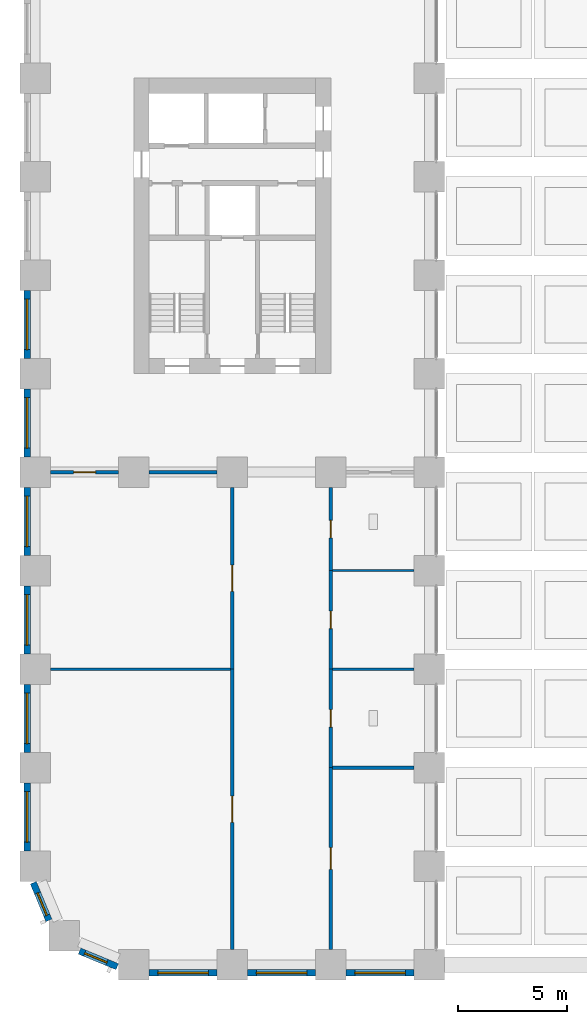
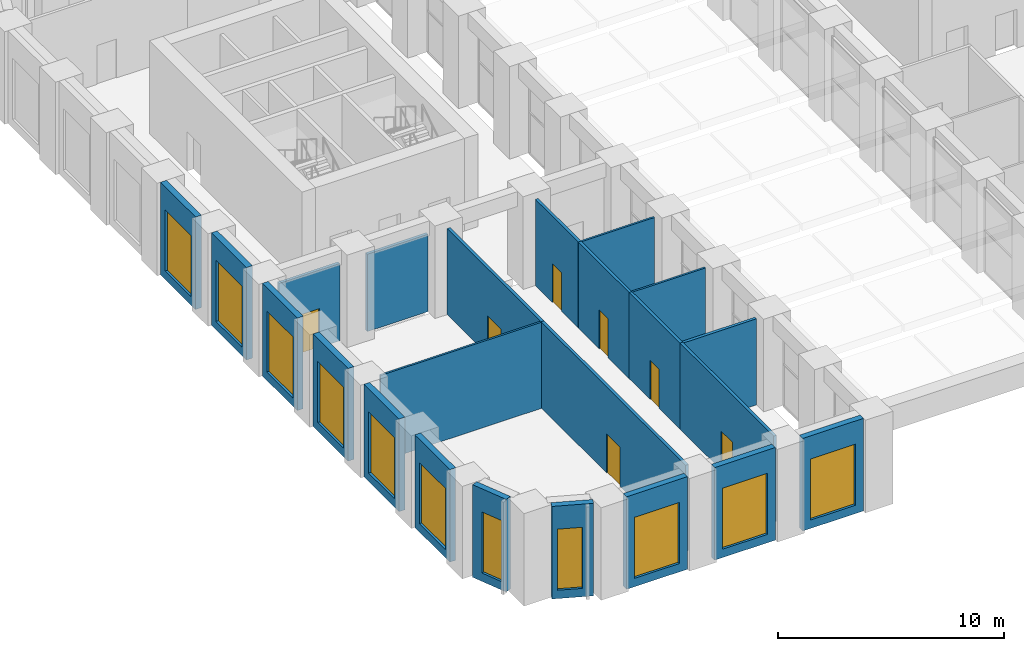
# One storey, part 8 of 24: 23 walls, 11 windows, 7 doors, 18 openings.
"""IFC4 building model written with IfcOpenShell, lengths in metres."""

from ifc_helpers import new_model, si_unit, direction, frame, frame_2d, origin, place, context, subcontext, project, spatial, rectangle, extrude, material, layer, layer_set, type_object, element, fill, save


model = new_model("IFC4")

# Units and contexts
model_context = context("Model", 3, precision=1e-05, world=origin(), true_north=direction((0.0, 1.0)))
body_context = subcontext(model_context, "Body", "Model", "MODEL_VIEW")
ifc_project = project(units=[si_unit("LENGTHUNIT", "METRE"), si_unit("AREAUNIT", "SQUARE_METRE"), si_unit("VOLUMEUNIT", "CUBIC_METRE"), si_unit("PLANEANGLEUNIT", "RADIAN"), si_unit("MASSUNIT", "GRAM", prefix="KILO")], contexts=[model_context])

# Site, building, storey
site_placement = place(None, origin())
site = spatial("IfcSite", under=ifc_project, at=site_placement, CompositionType="ELEMENT")
building_placement = place(site_placement, origin())
building = spatial("IfcBuilding", under=site, at=building_placement, Name="Girih Gate Residences", CompositionType="ELEMENT")
storey_placement = place(building_placement, frame((0.0, 0.0, 16.0)))
storey = spatial("IfcBuildingStorey", under=building, at=storey_placement, Name="L03", CompositionType="ELEMENT", Elevation=16.0)

# Wall
ifc_material_1 = material(Name="Gypsum board on steel studs", Category="steel")
ifc_layer_1 = layer(ifc_material_1, 0.14990234375)
ifc_layer_set_1 = layer_set([ifc_layer_1], Name="Compartment wall 150 mm")
wall_type_1 = type_object("IfcWallType", Name="Compartment wall 150 mm", PredefinedType="PARTITIONING", material=ifc_layer_set_1)
wall_1_placement = place(storey_placement, frame((13.574951171875, 9.0, 0.0), z_axis=(0.0, 0.0, 1.0), x_axis=(1.0, 0.0, 0.0)))
element("IfcWall", 1, at=wall_1_placement, inside=storey, type_object=wall_type_1, Name="L03 partition", PredefinedType="PARTITIONING", context=body_context, shape_type="SweptSolid", body=[
    extrude(rectangle(XDim=3.72509765625, YDim=0.14990234375, at=frame_2d((1.862548828125, 0.0))), origin(), (0.0, 0.0, 1.0), 4.64990234375),
])

# Wall, opening, door
wall_2_placement = place(storey_placement, frame((13.5, 9.0, 0.0), z_axis=(0.0, 0.0, 1.0), x_axis=(0.0, -1.0, 0.0)))
wall_2 = element("IfcWall", 2, at=wall_2_placement, inside=storey, type_object=wall_type_1, Name="L03 partition", PredefinedType="PARTITIONING", context=body_context, shape_type="SweptSolid", body=[
    extrude(rectangle(XDim=8.300048828125, YDim=0.14990234375, at=frame_2d((4.14990234375, 0.0))), origin(), (0.0, 0.0, 1.0), 4.64990234375),
])
opening_1_placement = place(wall_2_placement, frame((3.64990234375, 0.0, 0.0)))
opening_1 = element("IfcOpeningElement", 3, at=opening_1_placement, cuts=wall_2, Name="Opening D-L03-S-011", PredefinedType="OPENING", context=body_context, shape_type="SweptSolid", body=[
    extrude(rectangle(XDim=1.0, YDim=2.10009765625, at=frame_2d((0.5, 1.050048828125))), frame((0.0, 0.0849609375, 0.0), z_axis=(0.0, -1.0, 0.0), x_axis=(1.0, 0.0, 0.0)), (0.0, 0.0, 1.0), 0.169921875),
])
ifc_material_2 = material(Name="Timber, fire-rated core", Category="wood")
door_type_1 = type_object("IfcDoorType", Name="Amenity door 1000x2100 FD30S", OperationType="SINGLE_SWING_LEFT", PredefinedType="DOOR", material=ifc_material_2)
door_1_placement = place(opening_1_placement, origin())
door_1 = element("IfcDoor", 4, at=door_1_placement, inside=storey, type_object=door_type_1, Name="Door L03-011", OperationType="SINGLE_SWING_RIGHT", OverallHeight=2.10009765625, OverallWidth=1.0, PredefinedType="DOOR", context=body_context, shape_type="SweptSolid", body=[
    extrude(rectangle(XDim=1.0, YDim=2.10009765625, at=frame_2d((0.5, 1.050048828125))), frame((0.0, 0.02490234375, 0.0), z_axis=(0.0, -1.0, 0.0), x_axis=(1.0, 0.0, 0.0)), (0.0, 0.0, 1.0), 0.050048828125),
])
fill(opening_1, door_1)

wall_3_placement = place(storey_placement, frame((13.5, 13.5, 0.0), z_axis=(0.0, 0.0, 1.0), x_axis=(0.0, -1.0, 0.0)))
wall_3 = element("IfcWall", 5, at=wall_3_placement, inside=storey, type_object=wall_type_1, Name="L03 partition", PredefinedType="PARTITIONING", context=body_context, shape_type="SweptSolid", body=[
    extrude(rectangle(XDim=4.5, YDim=0.14990234375, at=frame_2d((2.25, 0.0))), origin(), (0.0, 0.0, 1.0), 4.64990234375),
])
opening_2_placement = place(wall_3_placement, frame((1.85009765625, 0.0, 0.0)))
opening_2 = element("IfcOpeningElement", 6, at=opening_2_placement, cuts=wall_3, Name="Opening D-L03-S-012", PredefinedType="OPENING", context=body_context, shape_type="SweptSolid", body=[
    extrude(rectangle(XDim=0.800048828125, YDim=2.10009765625, at=frame_2d((0.39990234375, 1.050048828125))), frame((0.0, 0.0849609375, 0.0), z_axis=(0.0, -1.0, 0.0), x_axis=(1.0, 0.0, 0.0)), (0.0, 0.0, 1.0), 0.169921875),
])
ifc_material_3 = material(Name="Timber", Category="wood")
door_type_2 = type_object("IfcDoorType", Name="WC and store door 800x2100", OperationType="SINGLE_SWING_LEFT", PredefinedType="DOOR", material=ifc_material_3)
door_2_placement = place(opening_2_placement, origin())
door_2 = element("IfcDoor", 7, at=door_2_placement, inside=storey, type_object=door_type_2, Name="Door L03-012", OperationType="SINGLE_SWING_RIGHT", OverallHeight=2.10009765625, OverallWidth=0.800048828125, PredefinedType="DOOR", context=body_context, shape_type="SweptSolid", body=[
    extrude(rectangle(XDim=0.800048828125, YDim=2.10009765625, at=frame_2d((0.39990234375, 1.050048828125))), frame((0.0, 0.02490234375, 0.0), z_axis=(0.0, -1.0, 0.0), x_axis=(1.0, 0.0, 0.0)), (0.0, 0.0, 1.0), 0.050048828125),
])
fill(opening_2, door_2)

wall_4_placement = place(storey_placement, frame((13.5, 18.0, 0.0), z_axis=(0.0, 0.0, 1.0), x_axis=(0.0, -1.0, 0.0)))
wall_4 = element("IfcWall", 8, at=wall_4_placement, inside=storey, type_object=wall_type_1, Name="L03 partition", PredefinedType="PARTITIONING", context=body_context, shape_type="SweptSolid", body=[
    extrude(rectangle(XDim=4.5, YDim=0.14990234375, at=frame_2d((2.25, 0.0))), origin(), (0.0, 0.0, 1.0), 4.64990234375),
])
opening_3_placement = place(wall_4_placement, frame((1.85009765625, 0.0, 0.0)))
opening_3 = element("IfcOpeningElement", 9, at=opening_3_placement, cuts=wall_4, Name="Opening D-L03-S-013", PredefinedType="OPENING", context=body_context, shape_type="SweptSolid", body=[
    extrude(rectangle(XDim=0.800048828125, YDim=2.10009765625, at=frame_2d((0.39990234375, 1.050048828125))), frame((0.0, 0.0849609375, 0.0), z_axis=(0.0, -1.0, 0.0), x_axis=(1.0, 0.0, 0.0)), (0.0, 0.0, 1.0), 0.169921875),
])
door_3_placement = place(opening_3_placement, origin())
door_3 = element("IfcDoor", 10, at=door_3_placement, inside=storey, type_object=door_type_2, Name="Door L03-013", OperationType="SINGLE_SWING_RIGHT", OverallHeight=2.10009765625, OverallWidth=0.800048828125, PredefinedType="DOOR", context=body_context, shape_type="SweptSolid", body=[
    extrude(rectangle(XDim=0.800048828125, YDim=2.10009765625, at=frame_2d((0.39990234375, 1.050048828125))), frame((0.0, 0.02490234375, 0.0), z_axis=(0.0, -1.0, 0.0), x_axis=(1.0, 0.0, 0.0)), (0.0, 0.0, 1.0), 0.050048828125),
])
fill(opening_3, door_3)

wall_5_placement = place(storey_placement, frame((13.5, 21.800048828125, 0.0), z_axis=(0.0, 0.0, 1.0), x_axis=(0.0, -1.0, 0.0)))
wall_5 = element("IfcWall", 11, at=wall_5_placement, inside=storey, type_object=wall_type_1, Name="L03 partition", PredefinedType="PARTITIONING", context=body_context, shape_type="SweptSolid", body=[
    extrude(rectangle(XDim=3.800048828125, YDim=0.14990234375, at=frame_2d((1.89990234375, 0.0))), origin(), (0.0, 0.0, 1.0), 4.64990234375),
])
opening_4_placement = place(wall_5_placement, frame((1.5, 0.0, 0.0)))
opening_4 = element("IfcOpeningElement", 12, at=opening_4_placement, cuts=wall_5, Name="Opening D-L03-S-015", PredefinedType="OPENING", context=body_context, shape_type="SweptSolid", body=[
    extrude(rectangle(XDim=0.800048828125, YDim=2.10009765625, at=frame_2d((0.39990234375, 1.050048828125))), frame((0.0, 0.0849609375, 0.0), z_axis=(0.0, -1.0, 0.0), x_axis=(1.0, 0.0, 0.0)), (0.0, 0.0, 1.0), 0.169921875),
])
door_4_placement = place(opening_4_placement, origin())
door_4 = element("IfcDoor", 13, at=door_4_placement, inside=storey, type_object=door_type_2, Name="Door L03-015", OperationType="SINGLE_SWING_RIGHT", OverallHeight=2.10009765625, OverallWidth=0.800048828125, PredefinedType="DOOR", context=body_context, shape_type="SweptSolid", body=[
    extrude(rectangle(XDim=0.800048828125, YDim=2.10009765625, at=frame_2d((0.39990234375, 1.050048828125))), frame((0.0, 0.02490234375, 0.0), z_axis=(0.0, -1.0, 0.0), x_axis=(1.0, 0.0, 0.0)), (0.0, 0.0, 1.0), 0.050048828125),
])
fill(opening_4, door_4)

wall_6_placement = place(storey_placement, frame((9.0, 0.699951171875, 0.0), z_axis=(0.0, 0.0, 1.0), x_axis=(0.0, 1.0, 0.0)))
wall_6 = element("IfcWall", 14, at=wall_6_placement, inside=storey, type_object=wall_type_1, Name="L03 partition", PredefinedType="PARTITIONING", context=body_context, shape_type="SweptSolid", body=[
    extrude(rectangle(XDim=12.800048828125, YDim=0.14990234375, at=frame_2d((6.39990234375, 0.0))), origin(), (0.0, 0.0, 1.0), 4.64990234375),
])
opening_5_placement = place(wall_6_placement, frame((5.800048828125, 0.0, 0.0)))
opening_5 = element("IfcOpeningElement", 15, at=opening_5_placement, cuts=wall_6, Name="Opening D-L03-S-016", PredefinedType="OPENING", context=body_context, shape_type="SweptSolid", body=[
    extrude(rectangle(XDim=1.199951171875, YDim=2.10009765625, at=frame_2d((0.60009765625, 1.050048828125))), frame((0.0, 0.0849609375, 0.0), z_axis=(0.0, -1.0, 0.0), x_axis=(1.0, 0.0, 0.0)), (0.0, 0.0, 1.0), 0.169921875),
])
door_type_3 = type_object("IfcDoorType", Name="Gallery fire door 1200x2100 FD30S", OperationType="SINGLE_SWING_LEFT", PredefinedType="DOOR", material=ifc_material_2)
door_5_placement = place(opening_5_placement, origin())
door_5 = element("IfcDoor", 16, at=door_5_placement, inside=storey, type_object=door_type_3, Name="Door L03-016", OperationType="SINGLE_SWING_RIGHT", OverallHeight=2.10009765625, OverallWidth=1.199951171875, PredefinedType="DOOR", context=body_context, shape_type="SweptSolid", body=[
    extrude(rectangle(XDim=1.199951171875, YDim=2.10009765625, at=frame_2d((0.60009765625, 1.050048828125))), frame((0.0, 0.02490234375, 0.0), z_axis=(0.0, -1.0, 0.0), x_axis=(1.0, 0.0, 0.0)), (0.0, 0.0, 1.0), 0.050048828125),
])
fill(opening_5, door_5)

wall_7_placement = place(storey_placement, frame((3.800048828125, 22.5, 0.0), z_axis=(0.0, 0.0, 1.0), x_axis=(-1.0, 0.0, 0.0)))
wall_7 = element("IfcWall", 17, at=wall_7_placement, inside=storey, type_object=wall_type_1, Name="L03 partition", PredefinedType="PARTITIONING", context=body_context, shape_type="SweptSolid", body=[
    extrude(rectangle(XDim=3.10009765625, YDim=0.14990234375, at=frame_2d((1.550048828125, 0.0))), origin(), (0.0, 0.0, 1.0), 4.179931640625),
])
opening_6_placement = place(wall_7_placement, frame((1.050048828125, 0.0, 0.0)))
opening_6 = element("IfcOpeningElement", 18, at=opening_6_placement, cuts=wall_7, Name="Opening D-L03-S-017", PredefinedType="OPENING", context=body_context, shape_type="SweptSolid", body=[
    extrude(rectangle(XDim=1.0, YDim=2.10009765625, at=frame_2d((0.5, 1.050048828125))), frame((0.0, 0.0849609375, 0.0), z_axis=(0.0, -1.0, 0.0), x_axis=(1.0, 0.0, 0.0)), (0.0, 0.0, 1.0), 0.169921875),
])
door_6_placement = place(opening_6_placement, origin())
door_6 = element("IfcDoor", 19, at=door_6_placement, inside=storey, type_object=door_type_1, Name="Door L03-017", OperationType="SINGLE_SWING_RIGHT", OverallHeight=2.10009765625, OverallWidth=1.0, PredefinedType="DOOR", context=body_context, shape_type="SweptSolid", body=[
    extrude(rectangle(XDim=1.0, YDim=2.10009765625, at=frame_2d((0.5, 1.050048828125))), frame((0.0, 0.02490234375, 0.0), z_axis=(0.0, -1.0, 0.0), x_axis=(1.0, 0.0, 0.0)), (0.0, 0.0, 1.0), 0.050048828125),
])
fill(opening_6, door_6)

# Wall
wall_8_placement = place(storey_placement, frame((5.199951171875, 22.5, 0.0), z_axis=(0.0, 0.0, 1.0), x_axis=(1.0, 0.0, 0.0)))
element("IfcWall", 20, at=wall_8_placement, inside=storey, type_object=wall_type_1, Name="L03 partition", PredefinedType="PARTITIONING", context=body_context, shape_type="SweptSolid", body=[
    extrude(rectangle(XDim=3.10009765625, YDim=0.14990234375, at=frame_2d((1.550048828125, 0.0))), origin(), (0.0, 0.0, 1.0), 4.179931640625),
])

# Wall, opening, door
wall_9_placement = place(storey_placement, frame((9.0, 13.5, 0.0), z_axis=(0.0, 0.0, 1.0), x_axis=(0.0, 1.0, 0.0)))
wall_9 = element("IfcWall", 21, at=wall_9_placement, inside=storey, type_object=wall_type_1, Name="L03 partition", PredefinedType="PARTITIONING", context=body_context, shape_type="SweptSolid", body=[
    extrude(rectangle(XDim=8.300048828125, YDim=0.14990234375, at=frame_2d((4.14990234375, 0.0))), origin(), (0.0, 0.0, 1.0), 4.64990234375),
])
opening_7_placement = place(wall_9_placement, frame((3.550048828125, 0.0, 0.0)))
opening_7 = element("IfcOpeningElement", 22, at=opening_7_placement, cuts=wall_9, Name="Opening D-L03-S-018", PredefinedType="OPENING", context=body_context, shape_type="SweptSolid", body=[
    extrude(rectangle(XDim=1.199951171875, YDim=2.10009765625, at=frame_2d((0.60009765625, 1.050048828125))), frame((0.0, 0.0849609375, 0.0), z_axis=(0.0, -1.0, 0.0), x_axis=(1.0, 0.0, 0.0)), (0.0, 0.0, 1.0), 0.169921875),
])
door_7_placement = place(opening_7_placement, origin())
door_7 = element("IfcDoor", 23, at=door_7_placement, inside=storey, type_object=door_type_3, Name="Door L03-018", OperationType="SINGLE_SWING_RIGHT", OverallHeight=2.10009765625, OverallWidth=1.199951171875, PredefinedType="DOOR", context=body_context, shape_type="SweptSolid", body=[
    extrude(rectangle(XDim=1.199951171875, YDim=2.10009765625, at=frame_2d((0.60009765625, 1.050048828125))), frame((0.0, 0.02490234375, 0.0), z_axis=(0.0, -1.0, 0.0), x_axis=(1.0, 0.0, 0.0)), (0.0, 0.0, 1.0), 0.050048828125),
])
fill(opening_7, door_7)

# Walls
ifc_layer_2 = layer(ifc_material_1, 0.10009765625)
ifc_layer_set_2 = layer_set([ifc_layer_2], Name="Partition 100 mm")
wall_type_2 = type_object("IfcWallType", Name="Partition 100 mm", PredefinedType="PARTITIONING", material=ifc_layer_set_2)
for number, where, z_axis, x_axis, name in (
    (24, (13.574951171875, 13.5, 0.0), (0.0, 0.0, 1.0), (1.0, 0.0, 0.0), "L03 partition"),
    (25, (13.574951171875, 18.0, 0.0), (0.0, 0.0, 1.0), (1.0, 0.0, 0.0), "L03 partition"),
):
    element("IfcWall", number, at=place(storey_placement, frame(where, z_axis=z_axis, x_axis=x_axis)), inside=storey, type_object=wall_type_2, Name=name, PredefinedType="PARTITIONING", context=body_context, shape_type="SweptSolid", body=[
        extrude(rectangle(XDim=3.72509765625, YDim=0.10009765625, at=frame_2d((1.862548828125, 0.0))), origin(), (0.0, 0.0, 1.0), 4.64990234375),
    ])
wall_10_placement = place(storey_placement, frame((0.699951171875, 13.5, 0.0), z_axis=(0.0, 0.0, 1.0), x_axis=(1.0, 0.0, 0.0)))
element("IfcWall", 26, at=wall_10_placement, inside=storey, type_object=wall_type_2, Name="L03 partition", PredefinedType="PARTITIONING", context=body_context, shape_type="SweptSolid", body=[
    extrude(rectangle(XDim=8.22509765625, YDim=0.10009765625, at=frame_2d((4.112548828125, 0.0))), origin(), (0.0, 0.0, 1.0), 4.64990234375),
])

# Wall, opening, window
ifc_material_4 = material(Name="Precast concrete C50/60", Category="concrete")
ifc_layer_3 = layer(ifc_material_4, 0.080078125, Name="Outer leaf")
ifc_material_5 = material(Name="Rigid PIR insulation")
ifc_layer_4 = layer(ifc_material_5, 0.14990234375, Name="Insulation")
ifc_material_6 = material(Name="Precast concrete C40/50", Category="concrete")
ifc_layer_5 = layer(ifc_material_6, 0.070068359375, Name="Inner leaf")
ifc_layer_set_3 = layer_set([ifc_layer_3, ifc_layer_4, ifc_layer_5], Name="Precast concrete C50/60 external wall 300")
wall_type_3 = type_object("IfcWallType", Name="Precast concrete C50/60 external wall 300", PredefinedType="SOLIDWALL", material=ifc_layer_set_3)
wall_11_placement = place(storey_placement, frame((-0.375, 27.699951171875, 0.0), z_axis=(0.0, 0.0, 1.0), x_axis=(0.0, 1.0, 0.0)))
wall_11 = element("IfcWall", 27, at=wall_11_placement, inside=storey, type_object=wall_type_3, Name="External wall W0000_0450.3", PredefinedType="SOLIDWALL", context=body_context, shape_type="SweptSolid", body=[
    extrude(rectangle(XDim=3.10009765625, YDim=0.300048828125, at=frame_2d((1.550048828125, 0.0))), origin(), (0.0, 0.0, 1.0), 5.0),
])
opening_8_placement = place(wall_11_placement, frame((0.39990234375, 0.0, 0.449951171875)))
opening_8 = element("IfcOpeningElement", 28, at=opening_8_placement, cuts=wall_11, Name="Opening W-3", PredefinedType="OPENING", context=body_context, shape_type="SweptSolid", body=[
    extrude(rectangle(XDim=2.300048828125, YDim=3.300048828125, at=frame_2d((1.14990234375, 1.64990234375))), frame((0.0, 0.159912109375, 0.0), z_axis=(0.0, -1.0, 0.0), x_axis=(1.0, 0.0, 0.0)), (0.0, 0.0, 1.0), 0.320068359375),
])
ifc_material_7 = material(Name="Double glazing in aluminium frame", Category="aluminium")
window_type_1 = type_object("IfcWindowType", Name="Window W-3 2300x3300", PartitioningType="SINGLE_PANEL", PredefinedType="WINDOW", material=ifc_material_7)
window_1_placement = place(opening_8_placement, origin())
window_1 = element("IfcWindow", 29, at=window_1_placement, inside=storey, type_object=window_type_1, Name="Window W-3 W0000_0450.3", OverallHeight=3.300048828125, OverallWidth=2.300048828125, PartitioningType="SINGLE_PANEL", PredefinedType="WINDOW", context=body_context, shape_type="SweptSolid", body=[
    extrude(rectangle(XDim=2.300048828125, YDim=3.300048828125, at=frame_2d((1.14990234375, 1.64990234375))), frame((0.0, 0.030029296875, 0.0), z_axis=(0.0, -1.0, 0.0), x_axis=(1.0, 0.0, 0.0)), (0.0, 0.0, 1.0), 0.06005859375),
])
fill(opening_8, window_1)

wall_12_placement = place(storey_placement, frame((-0.375, 23.199951171875, 0.0), z_axis=(0.0, 0.0, 1.0), x_axis=(0.0, 1.0, 0.0)))
wall_12 = element("IfcWall", 30, at=wall_12_placement, inside=storey, type_object=wall_type_3, Name="External wall W0000_0450.4", PredefinedType="SOLIDWALL", context=body_context, shape_type="SweptSolid", body=[
    extrude(rectangle(XDim=3.10009765625, YDim=0.300048828125, at=frame_2d((1.550048828125, 0.0))), origin(), (0.0, 0.0, 1.0), 5.0),
])
opening_9_placement = place(wall_12_placement, frame((0.39990234375, 0.0, 0.449951171875)))
opening_9 = element("IfcOpeningElement", 31, at=opening_9_placement, cuts=wall_12, Name="Opening W-3", PredefinedType="OPENING", context=body_context, shape_type="SweptSolid", body=[
    extrude(rectangle(XDim=2.300048828125, YDim=3.300048828125, at=frame_2d((1.14990234375, 1.64990234375))), frame((0.0, 0.159912109375, 0.0), z_axis=(0.0, -1.0, 0.0), x_axis=(1.0, 0.0, 0.0)), (0.0, 0.0, 1.0), 0.320068359375),
])
window_2_placement = place(opening_9_placement, origin())
window_2 = element("IfcWindow", 32, at=window_2_placement, inside=storey, type_object=window_type_1, Name="Window W-3 W0000_0450.4", OverallHeight=3.300048828125, OverallWidth=2.300048828125, PartitioningType="SINGLE_PANEL", PredefinedType="WINDOW", context=body_context, shape_type="SweptSolid", body=[
    extrude(rectangle(XDim=2.300048828125, YDim=3.300048828125, at=frame_2d((1.14990234375, 1.64990234375))), frame((0.0, 0.030029296875, 0.0), z_axis=(0.0, -1.0, 0.0), x_axis=(1.0, 0.0, 0.0)), (0.0, 0.0, 1.0), 0.06005859375),
])
fill(opening_9, window_2)

wall_13_placement = place(storey_placement, frame((-0.375, 18.699951171875, 0.0), z_axis=(0.0, 0.0, 1.0), x_axis=(0.0, 1.0, 0.0)))
wall_13 = element("IfcWall", 33, at=wall_13_placement, inside=storey, type_object=wall_type_3, Name="External wall W0000_0450.5", PredefinedType="SOLIDWALL", context=body_context, shape_type="SweptSolid", body=[
    extrude(rectangle(XDim=3.10009765625, YDim=0.300048828125, at=frame_2d((1.550048828125, 0.0))), origin(), (0.0, 0.0, 1.0), 5.0),
])
opening_10_placement = place(wall_13_placement, frame((0.39990234375, 0.0, 0.449951171875)))
opening_10 = element("IfcOpeningElement", 34, at=opening_10_placement, cuts=wall_13, Name="Opening W-3", PredefinedType="OPENING", context=body_context, shape_type="SweptSolid", body=[
    extrude(rectangle(XDim=2.300048828125, YDim=3.300048828125, at=frame_2d((1.14990234375, 1.64990234375))), frame((0.0, 0.159912109375, 0.0), z_axis=(0.0, -1.0, 0.0), x_axis=(1.0, 0.0, 0.0)), (0.0, 0.0, 1.0), 0.320068359375),
])
window_3_placement = place(opening_10_placement, origin())
window_3 = element("IfcWindow", 35, at=window_3_placement, inside=storey, type_object=window_type_1, Name="Window W-3 W0000_0450.5", OverallHeight=3.300048828125, OverallWidth=2.300048828125, PartitioningType="SINGLE_PANEL", PredefinedType="WINDOW", context=body_context, shape_type="SweptSolid", body=[
    extrude(rectangle(XDim=2.300048828125, YDim=3.300048828125, at=frame_2d((1.14990234375, 1.64990234375))), frame((0.0, 0.030029296875, 0.0), z_axis=(0.0, -1.0, 0.0), x_axis=(1.0, 0.0, 0.0)), (0.0, 0.0, 1.0), 0.06005859375),
])
fill(opening_10, window_3)

wall_14_placement = place(storey_placement, frame((-0.375, 14.199951171875, 0.0), z_axis=(0.0, 0.0, 1.0), x_axis=(0.0, 1.0, 0.0)))
wall_14 = element("IfcWall", 36, at=wall_14_placement, inside=storey, type_object=wall_type_3, Name="External wall W0000_0450.6", PredefinedType="SOLIDWALL", context=body_context, shape_type="SweptSolid", body=[
    extrude(rectangle(XDim=3.10009765625, YDim=0.300048828125, at=frame_2d((1.550048828125, 0.0))), origin(), (0.0, 0.0, 1.0), 5.0),
])
opening_11_placement = place(wall_14_placement, frame((0.39990234375, 0.0, 0.449951171875)))
opening_11 = element("IfcOpeningElement", 37, at=opening_11_placement, cuts=wall_14, Name="Opening W-3", PredefinedType="OPENING", context=body_context, shape_type="SweptSolid", body=[
    extrude(rectangle(XDim=2.300048828125, YDim=3.300048828125, at=frame_2d((1.14990234375, 1.64990234375))), frame((0.0, 0.159912109375, 0.0), z_axis=(0.0, -1.0, 0.0), x_axis=(1.0, 0.0, 0.0)), (0.0, 0.0, 1.0), 0.320068359375),
])
window_4_placement = place(opening_11_placement, origin())
window_4 = element("IfcWindow", 38, at=window_4_placement, inside=storey, type_object=window_type_1, Name="Window W-3 W0000_0450.6", OverallHeight=3.300048828125, OverallWidth=2.300048828125, PartitioningType="SINGLE_PANEL", PredefinedType="WINDOW", context=body_context, shape_type="SweptSolid", body=[
    extrude(rectangle(XDim=2.300048828125, YDim=3.300048828125, at=frame_2d((1.14990234375, 1.64990234375))), frame((0.0, 0.030029296875, 0.0), z_axis=(0.0, -1.0, 0.0), x_axis=(1.0, 0.0, 0.0)), (0.0, 0.0, 1.0), 0.06005859375),
])
fill(opening_11, window_4)

wall_15_placement = place(storey_placement, frame((-0.375, 9.699951171875, 0.0), z_axis=(0.0, 0.0, 1.0), x_axis=(0.0, 1.0, 0.0)))
wall_15 = element("IfcWall", 39, at=wall_15_placement, inside=storey, type_object=wall_type_3, Name="External wall W0000_0450.7", PredefinedType="SOLIDWALL", context=body_context, shape_type="SweptSolid", body=[
    extrude(rectangle(XDim=3.10009765625, YDim=0.300048828125, at=frame_2d((1.550048828125, 0.0))), origin(), (0.0, 0.0, 1.0), 5.0),
])
opening_12_placement = place(wall_15_placement, frame((0.39990234375, 0.0, 0.449951171875)))
opening_12 = element("IfcOpeningElement", 40, at=opening_12_placement, cuts=wall_15, Name="Opening W-3", PredefinedType="OPENING", context=body_context, shape_type="SweptSolid", body=[
    extrude(rectangle(XDim=2.300048828125, YDim=3.300048828125, at=frame_2d((1.14990234375, 1.64990234375))), frame((0.0, 0.159912109375, 0.0), z_axis=(0.0, -1.0, 0.0), x_axis=(1.0, 0.0, 0.0)), (0.0, 0.0, 1.0), 0.320068359375),
])
window_5_placement = place(opening_12_placement, origin())
window_5 = element("IfcWindow", 41, at=window_5_placement, inside=storey, type_object=window_type_1, Name="Window W-3 W0000_0450.7", OverallHeight=3.300048828125, OverallWidth=2.300048828125, PartitioningType="SINGLE_PANEL", PredefinedType="WINDOW", context=body_context, shape_type="SweptSolid", body=[
    extrude(rectangle(XDim=2.300048828125, YDim=3.300048828125, at=frame_2d((1.14990234375, 1.64990234375))), frame((0.0, 0.030029296875, 0.0), z_axis=(0.0, -1.0, 0.0), x_axis=(1.0, 0.0, 0.0)), (0.0, 0.0, 1.0), 0.06005859375),
])
fill(opening_12, window_5)

wall_16_placement = place(storey_placement, frame((-0.375, 5.199951171875, 0.0), z_axis=(0.0, 0.0, 1.0), x_axis=(0.0, 1.0, 0.0)))
wall_16 = element("IfcWall", 42, at=wall_16_placement, inside=storey, type_object=wall_type_3, Name="External wall W0000_0450.8", PredefinedType="SOLIDWALL", context=body_context, shape_type="SweptSolid", body=[
    extrude(rectangle(XDim=3.10009765625, YDim=0.300048828125, at=frame_2d((1.550048828125, 0.0))), origin(), (0.0, 0.0, 1.0), 5.0),
])
opening_13_placement = place(wall_16_placement, frame((0.39990234375, 0.0, 0.449951171875)))
opening_13 = element("IfcOpeningElement", 43, at=opening_13_placement, cuts=wall_16, Name="Opening W-3", PredefinedType="OPENING", context=body_context, shape_type="SweptSolid", body=[
    extrude(rectangle(XDim=2.300048828125, YDim=3.300048828125, at=frame_2d((1.14990234375, 1.64990234375))), frame((0.0, 0.159912109375, 0.0), z_axis=(0.0, -1.0, 0.0), x_axis=(1.0, 0.0, 0.0)), (0.0, 0.0, 1.0), 0.320068359375),
])
window_6_placement = place(opening_13_placement, origin())
window_6 = element("IfcWindow", 44, at=window_6_placement, inside=storey, type_object=window_type_1, Name="Window W-3 W0000_0450.8", OverallHeight=3.300048828125, OverallWidth=2.300048828125, PartitioningType="SINGLE_PANEL", PredefinedType="WINDOW", context=body_context, shape_type="SweptSolid", body=[
    extrude(rectangle(XDim=2.300048828125, YDim=3.300048828125, at=frame_2d((1.14990234375, 1.64990234375))), frame((0.0, 0.030029296875, 0.0), z_axis=(0.0, -1.0, 0.0), x_axis=(1.0, 0.0, 0.0)), (0.0, 0.0, 1.0), 0.06005859375),
])
fill(opening_13, window_6)

wall_17_placement = place(storey_placement, frame((0.62158203125, 2.01953125, 0.0), z_axis=(0.0, 0.0, 1.0), x_axis=(-0.38262540684, 0.923903565336, 0.0)))
wall_17 = element("IfcWall", 45, at=wall_17_placement, inside=storey, type_object=wall_type_3, Name="External wall SW0000_0045.0", PredefinedType="SOLIDWALL", context=body_context, shape_type="SweptSolid", body=[
    extrude(rectangle(XDim=1.864990234375, YDim=0.300048828125, at=frame_2d((0.9326171875, 0.0))), origin(), (0.0, 0.0, 1.0), 5.0),
])
opening_14_placement = place(wall_17_placement, frame((0.257568359375, 0.0, 0.449951171875)))
opening_14 = element("IfcOpeningElement", 46, at=opening_14_placement, cuts=wall_17, Name="Opening W-2A", PredefinedType="OPENING", context=body_context, shape_type="SweptSolid", body=[
    extrude(rectangle(XDim=1.10009765625, YDim=3.300048828125, at=frame_2d((0.550048828125, 1.64990234375))), frame((0.0, 0.159912109375, 0.0), z_axis=(0.0, -1.0, 0.0), x_axis=(1.0, 0.0, 0.0)), (0.0, 0.0, 1.0), 0.320068359375),
])
window_type_2 = type_object("IfcWindowType", Name="Window W-2A 1100x3300", PartitioningType="SINGLE_PANEL", PredefinedType="WINDOW", material=ifc_material_7)
window_7_placement = place(opening_14_placement, origin())
window_7 = element("IfcWindow", 47, at=window_7_placement, inside=storey, type_object=window_type_2, Name="Window W-2A SW0000_0045.0", OverallHeight=3.300048828125, OverallWidth=1.10009765625, PartitioningType="SINGLE_PANEL", PredefinedType="WINDOW", context=body_context, shape_type="SweptSolid", body=[
    extrude(rectangle(XDim=1.10009765625, YDim=3.300048828125, at=frame_2d((0.550048828125, 1.64990234375))), frame((0.0, 0.030029296875, 0.0), z_axis=(0.0, -1.0, 0.0), x_axis=(1.0, 0.0, 0.0)), (0.0, 0.0, 1.0), 0.06005859375),
])
fill(opening_14, window_7)

wall_18_placement = place(storey_placement, frame((3.74267578125, -0.09228515625, 0.0), z_axis=(0.0, 0.0, 1.0), x_axis=(-0.923857286003, 0.382737135771, 0.0)))
wall_18 = element("IfcWall", 48, at=wall_18_placement, inside=storey, type_object=wall_type_3, Name="External wall SW0013_0013.0", PredefinedType="SOLIDWALL", context=body_context, shape_type="SweptSolid", body=[
    extrude(rectangle(XDim=1.865234375, YDim=0.300048828125, at=frame_2d((0.9326171875, 0.0))), origin(), (0.0, 0.0, 1.0), 5.0),
])
opening_15_placement = place(wall_18_placement, frame((0.507568359375, 0.0, 0.449951171875)))
opening_15 = element("IfcOpeningElement", 49, at=opening_15_placement, cuts=wall_18, Name="Opening W-2A", PredefinedType="OPENING", context=body_context, shape_type="SweptSolid", body=[
    extrude(rectangle(XDim=1.10009765625, YDim=3.300048828125, at=frame_2d((0.550048828125, 1.64990234375))), frame((0.0, 0.159912109375, 0.0), z_axis=(0.0, -1.0, 0.0), x_axis=(1.0, 0.0, 0.0)), (0.0, 0.0, 1.0), 0.320068359375),
])
window_8_placement = place(opening_15_placement, origin())
window_8 = element("IfcWindow", 50, at=window_8_placement, inside=storey, type_object=window_type_2, Name="Window W-2A SW0013_0013.0", OverallHeight=3.300048828125, OverallWidth=1.10009765625, PartitioningType="SINGLE_PANEL", PredefinedType="WINDOW", context=body_context, shape_type="SweptSolid", body=[
    extrude(rectangle(XDim=1.10009765625, YDim=3.300048828125, at=frame_2d((0.550048828125, 1.64990234375))), frame((0.0, 0.030029296875, 0.0), z_axis=(0.0, -1.0, 0.0), x_axis=(1.0, 0.0, 0.0)), (0.0, 0.0, 1.0), 0.06005859375),
])
fill(opening_15, window_8)

wall_19_placement = place(storey_placement, frame((8.300048828125, -0.375, 0.0), z_axis=(0.0, 0.0, 1.0), x_axis=(-1.0, 0.0, 0.0)))
wall_19 = element("IfcWall", 51, at=wall_19_placement, inside=storey, type_object=wall_type_3, Name="External wall S0045_0000.0", PredefinedType="SOLIDWALL", context=body_context, shape_type="SweptSolid", body=[
    extrude(rectangle(XDim=3.10009765625, YDim=0.300048828125, at=frame_2d((1.550048828125, 0.0))), origin(), (0.0, 0.0, 1.0), 5.0),
])
opening_16_placement = place(wall_19_placement, frame((0.39990234375, 0.0, 0.449951171875)))
opening_16 = element("IfcOpeningElement", 52, at=opening_16_placement, cuts=wall_19, Name="Opening W-3", PredefinedType="OPENING", context=body_context, shape_type="SweptSolid", body=[
    extrude(rectangle(XDim=2.300048828125, YDim=3.300048828125, at=frame_2d((1.14990234375, 1.64990234375))), frame((0.0, 0.159912109375, 0.0), z_axis=(0.0, -1.0, 0.0), x_axis=(1.0, 0.0, 0.0)), (0.0, 0.0, 1.0), 0.320068359375),
])
window_9_placement = place(opening_16_placement, origin())
window_9 = element("IfcWindow", 53, at=window_9_placement, inside=storey, type_object=window_type_1, Name="Window W-3 S0045_0000.0", OverallHeight=3.300048828125, OverallWidth=2.300048828125, PartitioningType="SINGLE_PANEL", PredefinedType="WINDOW", context=body_context, shape_type="SweptSolid", body=[
    extrude(rectangle(XDim=2.300048828125, YDim=3.300048828125, at=frame_2d((1.14990234375, 1.64990234375))), frame((0.0, 0.030029296875, 0.0), z_axis=(0.0, -1.0, 0.0), x_axis=(1.0, 0.0, 0.0)), (0.0, 0.0, 1.0), 0.06005859375),
])
fill(opening_16, window_9)

wall_20_placement = place(storey_placement, frame((12.800048828125, -0.375, 0.0), z_axis=(0.0, 0.0, 1.0), x_axis=(-1.0, 0.0, 0.0)))
wall_20 = element("IfcWall", 54, at=wall_20_placement, inside=storey, type_object=wall_type_3, Name="External wall S0045_0000.1", PredefinedType="SOLIDWALL", context=body_context, shape_type="SweptSolid", body=[
    extrude(rectangle(XDim=3.10009765625, YDim=0.300048828125, at=frame_2d((1.550048828125, 0.0))), origin(), (0.0, 0.0, 1.0), 5.0),
])
opening_17_placement = place(wall_20_placement, frame((0.39990234375, 0.0, 0.449951171875)))
opening_17 = element("IfcOpeningElement", 55, at=opening_17_placement, cuts=wall_20, Name="Opening W-3", PredefinedType="OPENING", context=body_context, shape_type="SweptSolid", body=[
    extrude(rectangle(XDim=2.300048828125, YDim=3.300048828125, at=frame_2d((1.14990234375, 1.64990234375))), frame((0.0, 0.159912109375, 0.0), z_axis=(0.0, -1.0, 0.0), x_axis=(1.0, 0.0, 0.0)), (0.0, 0.0, 1.0), 0.320068359375),
])
window_10_placement = place(opening_17_placement, origin())
window_10 = element("IfcWindow", 56, at=window_10_placement, inside=storey, type_object=window_type_1, Name="Window W-3 S0045_0000.1", OverallHeight=3.300048828125, OverallWidth=2.300048828125, PartitioningType="SINGLE_PANEL", PredefinedType="WINDOW", context=body_context, shape_type="SweptSolid", body=[
    extrude(rectangle(XDim=2.300048828125, YDim=3.300048828125, at=frame_2d((1.14990234375, 1.64990234375))), frame((0.0, 0.030029296875, 0.0), z_axis=(0.0, -1.0, 0.0), x_axis=(1.0, 0.0, 0.0)), (0.0, 0.0, 1.0), 0.06005859375),
])
fill(opening_17, window_10)

wall_21_placement = place(storey_placement, frame((17.300048828125, -0.375, 0.0), z_axis=(0.0, 0.0, 1.0), x_axis=(-1.0, 0.0, 0.0)))
wall_21 = element("IfcWall", 57, at=wall_21_placement, inside=storey, type_object=wall_type_3, Name="External wall S0045_0000.2", PredefinedType="SOLIDWALL", context=body_context, shape_type="SweptSolid", body=[
    extrude(rectangle(XDim=3.10009765625, YDim=0.300048828125, at=frame_2d((1.550048828125, 0.0))), origin(), (0.0, 0.0, 1.0), 5.0),
])
opening_18_placement = place(wall_21_placement, frame((0.39990234375, 0.0, 0.449951171875)))
opening_18 = element("IfcOpeningElement", 58, at=opening_18_placement, cuts=wall_21, Name="Opening W-3", PredefinedType="OPENING", context=body_context, shape_type="SweptSolid", body=[
    extrude(rectangle(XDim=2.300048828125, YDim=3.300048828125, at=frame_2d((1.14990234375, 1.64990234375))), frame((0.0, 0.159912109375, 0.0), z_axis=(0.0, -1.0, 0.0), x_axis=(1.0, 0.0, 0.0)), (0.0, 0.0, 1.0), 0.320068359375),
])
window_11_placement = place(opening_18_placement, origin())
window_11 = element("IfcWindow", 59, at=window_11_placement, inside=storey, type_object=window_type_1, Name="Window W-3 S0045_0000.2", OverallHeight=3.300048828125, OverallWidth=2.300048828125, PartitioningType="SINGLE_PANEL", PredefinedType="WINDOW", context=body_context, shape_type="SweptSolid", body=[
    extrude(rectangle(XDim=2.300048828125, YDim=3.300048828125, at=frame_2d((1.14990234375, 1.64990234375))), frame((0.0, 0.030029296875, 0.0), z_axis=(0.0, -1.0, 0.0), x_axis=(1.0, 0.0, 0.0)), (0.0, 0.0, 1.0), 0.06005859375),
])
fill(opening_18, window_11)

save(model, "model.ifc")
